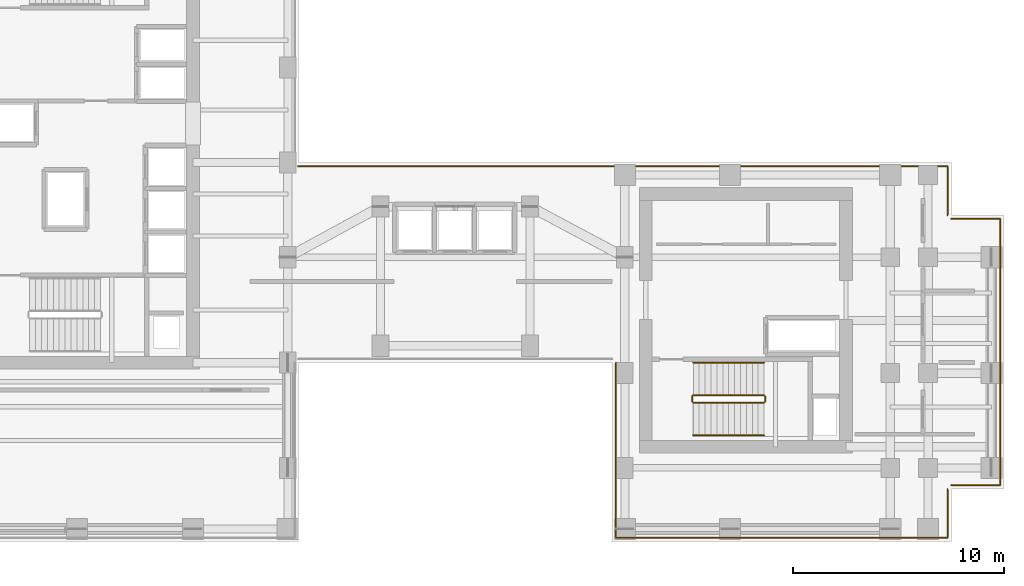
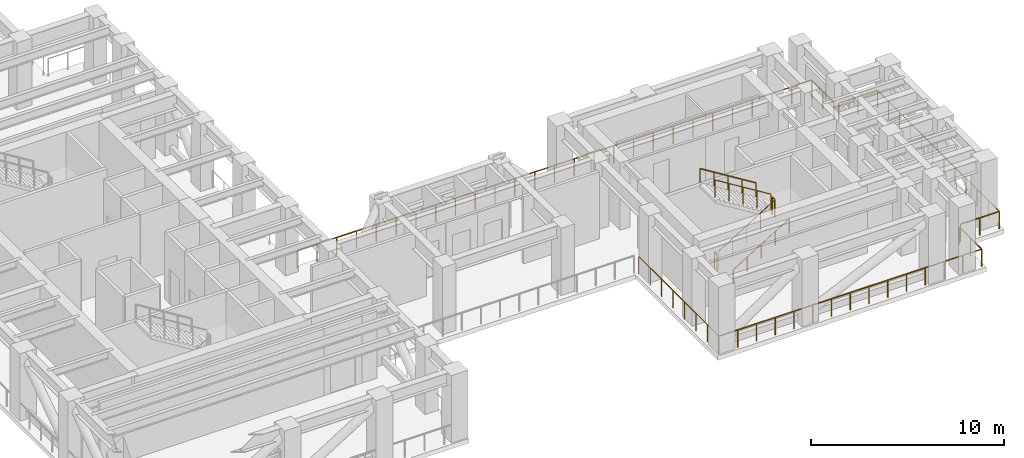
# One storey, part 13 of 14: 14 railings.
"""IFC4 building model written with IfcOpenShell, lengths in metres."""

from ifc_helpers import new_model, si_unit, direction, frame, origin, origin_2d, place, context, subcontext, project, spatial, circle, extrude, source, transform, mapped, material, layer, layer_set, type_object, element, save


model = new_model("IFC4")

# Units and contexts
model_context = context("Model", 3, precision=1e-05, world=origin(), true_north=direction((0.0, 1.0)))
body_context = subcontext(model_context, "Body", "Model", "MODEL_VIEW")
ifc_project = project(units=[si_unit("LENGTHUNIT", "METRE"), si_unit("AREAUNIT", "SQUARE_METRE"), si_unit("VOLUMEUNIT", "CUBIC_METRE"), si_unit("PLANEANGLEUNIT", "RADIAN"), si_unit("MASSUNIT", "GRAM", prefix="KILO")], contexts=[model_context])

# Site, building, storey
site_placement = place(None, origin())
site = spatial("IfcSite", under=ifc_project, at=site_placement, CompositionType="ELEMENT")
building_placement = place(site_placement, origin())
building = spatial("IfcBuilding", under=site, at=building_placement, Name="Kharzan Plaza Tower", CompositionType="ELEMENT")
storey_placement = place(building_placement, frame((0.0, 0.0, 207.89990234375)))
storey = spatial("IfcBuildingStorey", under=building, at=storey_placement, Name="L56", CompositionType="ELEMENT", Elevation=207.89990234375)

# Railings
ifc_material_1 = material(Name="Painted Galvanized Architectural Steel", Category="steel")
ifc_layer_1 = layer(ifc_material_1, 0.074951171875)
ifc_layer_set_1 = layer_set([ifc_layer_1], Name="Painted Galvanized Architectural Steel")
railing_type_1 = type_object("IfcRailingType", Name="RL-GUARD-1120", PredefinedType="BALUSTRADE", material=ifc_layer_set_1)
shared_shape_1 = source(origin(), body_context, "Body", "SweptSolid", [
    extrude(circle(Radius=0.02392578125, at=origin_2d()), frame((0.0224609375, 0.0, 1.10986328125), z_axis=(0.850623216509, 0.0, 0.525775754039), x_axis=(0.0, 1.0, 0.0)), (0.0, 0.0, 1.0), 3.897216796875),
    extrude(circle(Radius=0.02099609375, at=origin_2d()), origin(), (0.0, 0.0, 1.0), 1.072021484375),
    extrude(circle(Radius=0.02099609375, at=origin_2d()), frame((0.840087890625, 0.0, 0.519287109375)), (0.0, 0.0, 1.0), 1.072021484375),
    extrude(circle(Radius=0.02099609375, at=origin_2d()), frame((1.68017578125, 0.0, 1.03857421875)), (0.0, 0.0, 1.0), 1.072021484375),
    extrude(circle(Radius=0.02099609375, at=origin_2d()), frame((2.52001953125, 0.0, 1.5576171875)), (0.0, 0.0, 1.0), 1.072021484375),
    extrude(circle(Radius=0.02099609375, at=origin_2d()), frame((3.360107421875, 0.0, 2.076904296875)), (0.0, 0.0, 1.0), 1.072021484375),
])
railing_1_placement = place(storey_placement, frame((38.25, 6.60009765625, 0.173095703125)))
element("IfcRailing", 1, at=railing_1_placement, inside=storey, type_object=railing_type_1, Name="L56 ST-3 stair guard 1", PredefinedType="BALUSTRADE", context=body_context, shape_type="MappedRepresentation", body=[
    mapped(shared_shape_1, transform((0.0, 0.0, 0.0), x_axis=(1.0, 0.0, 0.0), y_axis=(0.0, 1.0, 0.0), z_axis=(0.0, 0.0, 1.0))),
])
shared_shape_2 = source(origin(), body_context, "Body", "SweptSolid", [
    extrude(circle(Radius=0.02392578125, at=origin_2d()), frame((0.0, 0.0263671875, 1.09619140625), z_axis=(0.0, 1.0, 0.0), x_axis=(-1.0, 0.0, 0.0)), (0.0, 0.0, 1.0), 0.197021484375),
    extrude(circle(Radius=0.02099609375, at=origin_2d()), origin(), (0.0, 0.0, 1.0), 1.072021484375),
    extrude(circle(Radius=0.02099609375, at=origin_2d()), frame((0.0, 0.25, 0.0)), (0.0, 0.0, 1.0), 1.072021484375),
])
for number, where, name in (
    (2, (41.659912109375, 6.64990234375, 2.25), "L56 ST-3 stair guard 2"),
    (3, (38.199951171875, 6.64990234375, 0.0), "L56 ST-3 stair guard 4"),
):
    element("IfcRailing", number, at=place(storey_placement, frame(where)), inside=storey, type_object=railing_type_1, Name=name, PredefinedType="BALUSTRADE", context=body_context, shape_type="MappedRepresentation", body=[
        mapped(shared_shape_2, transform((0.0, 0.0, 0.0), x_axis=(1.0, 0.0, 0.0), y_axis=(0.0, 1.0, 0.0), z_axis=(0.0, 0.0, 1.0))),
    ])
shared_shape_3 = source(origin(), body_context, "Body", "SweptSolid", [
    extrude(circle(Radius=0.02392578125, at=origin_2d()), frame((-0.0224609375, 0.0, 1.10986328125), z_axis=(-0.850623216509, 0.0, 0.525775754039), x_axis=(0.0, -1.0, 0.0)), (0.0, 0.0, 1.0), 3.897216796875),
    extrude(circle(Radius=0.02099609375, at=origin_2d()), origin(), (0.0, 0.0, 1.0), 1.072021484375),
    extrude(circle(Radius=0.02099609375, at=origin_2d()), frame((-0.840087890625, 0.0, 0.519287109375)), (0.0, 0.0, 1.0), 1.072021484375),
    extrude(circle(Radius=0.02099609375, at=origin_2d()), frame((-1.68017578125, 0.0, 1.03857421875)), (0.0, 0.0, 1.0), 1.072021484375),
    extrude(circle(Radius=0.02099609375, at=origin_2d()), frame((-2.52001953125, 0.0, 1.5576171875)), (0.0, 0.0, 1.0), 1.072021484375),
    extrude(circle(Radius=0.02099609375, at=origin_2d()), frame((-3.360107421875, 0.0, 2.076904296875)), (0.0, 0.0, 1.0), 1.072021484375),
])
railing_2_placement = place(storey_placement, frame((41.610107421875, 6.949951171875, 2.423095703125)))
element("IfcRailing", 4, at=railing_2_placement, inside=storey, type_object=railing_type_1, Name="L56 ST-3 stair guard 3", PredefinedType="BALUSTRADE", context=body_context, shape_type="MappedRepresentation", body=[
    mapped(shared_shape_3, transform((0.0, 0.0, 0.0), x_axis=(1.0, 0.0, 0.0), y_axis=(0.0, 1.0, 0.0), z_axis=(0.0, 0.0, 1.0))),
])
ifc_material_2 = material(Name="Brushed Stainless Steel", Category="steel")
ifc_layer_2 = layer(ifc_material_2, 0.050048828125)
ifc_layer_set_2 = layer_set([ifc_layer_2], Name="Brushed Stainless Steel")
railing_type_2 = type_object("IfcRailingType", Name="RL-STAIR-HR920", PredefinedType="HANDRAIL", material=ifc_layer_set_2)
shared_shape_4 = source(origin(), body_context, "Body", "SweptSolid", [
    extrude(circle(Radius=0.02392578125, at=origin_2d()), frame((0.0224609375, 0.0, 0.8896484375), z_axis=(0.850623216509, 0.0, 0.525775754039), x_axis=(0.0, 1.0, 0.0)), (0.0, 0.0, 1.0), 3.897216796875),
    extrude(circle(Radius=0.02099609375, at=origin_2d()), origin(), (0.0, 0.0, 1.0), 0.851806640625),
    extrude(circle(Radius=0.02099609375, at=origin_2d()), frame((0.840087890625, 0.0, 0.519287109375)), (0.0, 0.0, 1.0), 0.851806640625),
    extrude(circle(Radius=0.02099609375, at=origin_2d()), frame((1.68017578125, 0.0, 1.03857421875)), (0.0, 0.0, 1.0), 0.851806640625),
    extrude(circle(Radius=0.02099609375, at=origin_2d()), frame((2.52001953125, 0.0, 1.5576171875)), (0.0, 0.0, 1.0), 0.851806640625),
    extrude(circle(Radius=0.02099609375, at=origin_2d()), frame((3.360107421875, 0.0, 2.076904296875)), (0.0, 0.0, 1.0), 0.851806640625),
])
railing_3_placement = place(storey_placement, frame((38.25, 5.050048828125, 0.173095703125)))
element("IfcRailing", 5, at=railing_3_placement, inside=storey, type_object=railing_type_2, Name="L56 ST-3 stair handrail 1", PredefinedType="HANDRAIL", context=body_context, shape_type="MappedRepresentation", body=[
    mapped(shared_shape_4, transform((0.0, 0.0, 0.0), x_axis=(1.0, 0.0, 0.0), y_axis=(0.0, 1.0, 0.0), z_axis=(0.0, 0.0, 1.0))),
])
shared_shape_5 = source(origin(), body_context, "Body", "SweptSolid", [
    extrude(circle(Radius=0.02392578125, at=origin_2d()), frame((-0.0224609375, 0.0, 0.8896484375), z_axis=(-0.850623216509, 0.0, 0.525775754039), x_axis=(0.0, -1.0, 0.0)), (0.0, 0.0, 1.0), 3.897216796875),
    extrude(circle(Radius=0.02099609375, at=origin_2d()), origin(), (0.0, 0.0, 1.0), 0.851806640625),
    extrude(circle(Radius=0.02099609375, at=origin_2d()), frame((-0.840087890625, 0.0, 0.519287109375)), (0.0, 0.0, 1.0), 0.851806640625),
    extrude(circle(Radius=0.02099609375, at=origin_2d()), frame((-1.68017578125, 0.0, 1.03857421875)), (0.0, 0.0, 1.0), 0.851806640625),
    extrude(circle(Radius=0.02099609375, at=origin_2d()), frame((-2.52001953125, 0.0, 1.5576171875)), (0.0, 0.0, 1.0), 0.851806640625),
    extrude(circle(Radius=0.02099609375, at=origin_2d()), frame((-3.360107421875, 0.0, 2.076904296875)), (0.0, 0.0, 1.0), 0.851806640625),
])
railing_4_placement = place(storey_placement, frame((41.610107421875, 8.5, 2.423095703125)))
element("IfcRailing", 6, at=railing_4_placement, inside=storey, type_object=railing_type_2, Name="L56 ST-3 stair handrail 2", PredefinedType="HANDRAIL", context=body_context, shape_type="MappedRepresentation", body=[
    mapped(shared_shape_5, transform((0.0, 0.0, 0.0), x_axis=(1.0, 0.0, 0.0), y_axis=(0.0, 1.0, 0.0), z_axis=(0.0, 0.0, 1.0))),
])
shared_shape_6 = source(origin(), body_context, "Body", "SweptSolid", [
    extrude(circle(Radius=0.02392578125, at=origin_2d()), frame((0.0, -0.0263671875, 1.09619140625), z_axis=(0.0, -1.0, 0.0), x_axis=(1.0, 0.0, 0.0)), (0.0, 0.0, 1.0), 2.26708984375),
    extrude(circle(Radius=0.02099609375, at=origin_2d()), origin(), (0.0, 0.0, 1.0), 1.072021484375),
    extrude(circle(Radius=0.02099609375, at=origin_2d()), frame((0.0, -1.16015625, 0.0)), (0.0, 0.0, 1.0), 1.072021484375),
    extrude(circle(Radius=0.02099609375, at=origin_2d()), frame((0.0, -2.320068359375, 0.0)), (0.0, 0.0, 1.0), 1.072021484375),
])
for number, where, name in (
    (7, (50.320068359375, 17.820068359375, 0.0), "L56 Open Refuge Floor Perimeter Guard 02"),
    (8, (50.320068359375, 2.5, 0.0), "L56 Open Refuge Floor Perimeter Guard 38"),
):
    element("IfcRailing", number, at=place(storey_placement, frame(where)), inside=storey, type_object=railing_type_1, Name=name, PredefinedType="BALUSTRADE", context=body_context, shape_type="MappedRepresentation", body=[
        mapped(shared_shape_6, transform((0.0, 0.0, 0.0), x_axis=(1.0, 0.0, 0.0), y_axis=(0.0, 1.0, 0.0), z_axis=(0.0, 0.0, 1.0))),
    ])
shared_shape_7 = source(origin(), body_context, "Body", "SweptSolid", [
    extrude(circle(Radius=0.02392578125, at=origin_2d()), frame((0.0263671875, 0.0, 1.09619140625), z_axis=(1.0, 0.0, 0.0), x_axis=(0.0, 1.0, 0.0)), (0.0, 0.0, 1.0), 2.26708984375),
    extrude(circle(Radius=0.02099609375, at=origin_2d()), origin(), (0.0, 0.0, 1.0), 1.072021484375),
    extrude(circle(Radius=0.02099609375, at=origin_2d()), frame((1.16015625, 0.0, 0.0)), (0.0, 0.0, 1.0), 1.072021484375),
    extrude(circle(Radius=0.02099609375, at=origin_2d()), frame((2.320068359375, 0.0, 0.0)), (0.0, 0.0, 1.0), 1.072021484375),
])
railing_5_placement = place(storey_placement, frame((50.5, 15.320068359375, 0.0)))
element("IfcRailing", 9, at=railing_5_placement, inside=storey, type_object=railing_type_1, Name="L56 Open Refuge Floor Perimeter Guard 19", PredefinedType="BALUSTRADE", context=body_context, shape_type="MappedRepresentation", body=[
    mapped(shared_shape_7, transform((0.0, 0.0, 0.0), x_axis=(1.0, 0.0, 0.0), y_axis=(0.0, 1.0, 0.0), z_axis=(0.0, 0.0, 1.0))),
])
shared_shape_8 = source(origin(), body_context, "Body", "SweptSolid", [
    extrude(circle(Radius=0.02392578125, at=origin_2d()), frame((-0.0263671875, 0.0, 1.09619140625), z_axis=(-1.0, 0.0, 0.0), x_axis=(0.0, -1.0, 0.0)), (0.0, 0.0, 1.0), 2.26708984375),
    extrude(circle(Radius=0.02099609375, at=origin_2d()), origin(), (0.0, 0.0, 1.0), 1.072021484375),
    extrude(circle(Radius=0.02099609375, at=origin_2d()), frame((-1.16015625, 0.0, 0.0)), (0.0, 0.0, 1.0), 1.072021484375),
    extrude(circle(Radius=0.02099609375, at=origin_2d()), frame((-2.320068359375, 0.0, 0.0)), (0.0, 0.0, 1.0), 1.072021484375),
])
railing_6_placement = place(storey_placement, frame((52.820068359375, 2.679931640625, 0.0)))
element("IfcRailing", 10, at=railing_6_placement, inside=storey, type_object=railing_type_1, Name="L56 Open Refuge Floor Perimeter Guard 21", PredefinedType="BALUSTRADE", context=body_context, shape_type="MappedRepresentation", body=[
    mapped(shared_shape_8, transform((0.0, 0.0, 0.0), x_axis=(1.0, 0.0, 0.0), y_axis=(0.0, 1.0, 0.0), z_axis=(0.0, 0.0, 1.0))),
])
shared_shape_9 = source(origin(), body_context, "Body", "SweptSolid", [
    extrude(circle(Radius=0.02392578125, at=origin_2d()), frame((0.0, 0.0263671875, 1.09619140625), z_axis=(0.0, 1.0, 0.0), x_axis=(-1.0, 0.0, 0.0)), (0.0, 0.0, 1.0), 8.26708984375),
    extrude(circle(Radius=0.02099609375, at=origin_2d()), origin(), (0.0, 0.0, 1.0), 1.072021484375),
    extrude(circle(Radius=0.02099609375, at=origin_2d()), frame((0.0, 1.1884765625, 0.0)), (0.0, 0.0, 1.0), 1.072021484375),
    extrude(circle(Radius=0.02099609375, at=origin_2d()), frame((0.0, 2.377197265625, 0.0)), (0.0, 0.0, 1.0), 1.072021484375),
    extrude(circle(Radius=0.02099609375, at=origin_2d()), frame((0.0, 3.565673828125, 0.0)), (0.0, 0.0, 1.0), 1.072021484375),
    extrude(circle(Radius=0.02099609375, at=origin_2d()), frame((0.0, 4.75439453125, 0.0)), (0.0, 0.0, 1.0), 1.072021484375),
    extrude(circle(Radius=0.02099609375, at=origin_2d()), frame((0.0, 5.94287109375, 0.0)), (0.0, 0.0, 1.0), 1.072021484375),
    extrude(circle(Radius=0.02099609375, at=origin_2d()), frame((0.0, 7.131591796875, 0.0)), (0.0, 0.0, 1.0), 1.072021484375),
    extrude(circle(Radius=0.02099609375, at=origin_2d()), frame((0.0, 8.320068359375, 0.0)), (0.0, 0.0, 1.0), 1.072021484375),
])
railing_7_placement = place(storey_placement, frame((34.580078125, 0.179931640625, 0.0)))
element("IfcRailing", 11, at=railing_7_placement, inside=storey, type_object=railing_type_1, Name="L56 Open Refuge Floor Perimeter Guard 40", PredefinedType="BALUSTRADE", context=body_context, shape_type="MappedRepresentation", body=[
    mapped(shared_shape_9, transform((0.0, 0.0, 0.0), x_axis=(1.0, 0.0, 0.0), y_axis=(0.0, 1.0, 0.0), z_axis=(0.0, 0.0, 1.0))),
])
shared_shape_10 = source(origin(), body_context, "Body", "SweptSolid", [
    extrude(circle(Radius=0.02392578125, at=origin_2d()), frame((0.0263671875, 0.0, 1.09619140625), z_axis=(1.0, 0.0, 0.0), x_axis=(0.0, 1.0, 0.0)), (0.0, 0.0, 1.0), 30.76708984375),
    extrude(circle(Radius=0.02099609375, at=origin_2d()), origin(), (0.0, 0.0, 1.0), 1.072021484375),
    extrude(circle(Radius=0.02099609375, at=origin_2d()), frame((1.185302734375, 0.0, 0.0)), (0.0, 0.0, 1.0), 1.072021484375),
    extrude(circle(Radius=0.02099609375, at=origin_2d()), frame((2.370849609375, 0.0, 0.0)), (0.0, 0.0, 1.0), 1.072021484375),
    extrude(circle(Radius=0.02099609375, at=origin_2d()), frame((3.55615234375, 0.0, 0.0)), (0.0, 0.0, 1.0), 1.072021484375),
    extrude(circle(Radius=0.02099609375, at=origin_2d()), frame((4.741455078125, 0.0, 0.0)), (0.0, 0.0, 1.0), 1.072021484375),
    extrude(circle(Radius=0.02099609375, at=origin_2d()), frame((5.927001953125, 0.0, 0.0)), (0.0, 0.0, 1.0), 1.072021484375),
    extrude(circle(Radius=0.02099609375, at=origin_2d()), frame((7.1123046875, 0.0, 0.0)), (0.0, 0.0, 1.0), 1.072021484375),
    extrude(circle(Radius=0.02099609375, at=origin_2d()), frame((8.297607421875, 0.0, 0.0)), (0.0, 0.0, 1.0), 1.072021484375),
    extrude(circle(Radius=0.02099609375, at=origin_2d()), frame((9.483154296875, 0.0, 0.0)), (0.0, 0.0, 1.0), 1.072021484375),
    extrude(circle(Radius=0.02099609375, at=origin_2d()), frame((10.66845703125, 0.0, 0.0)), (0.0, 0.0, 1.0), 1.072021484375),
    extrude(circle(Radius=0.02099609375, at=origin_2d()), frame((11.853759765625, 0.0, 0.0)), (0.0, 0.0, 1.0), 1.072021484375),
    extrude(circle(Radius=0.02099609375, at=origin_2d()), frame((13.039306640625, 0.0, 0.0)), (0.0, 0.0, 1.0), 1.072021484375),
    extrude(circle(Radius=0.02099609375, at=origin_2d()), frame((14.224609375, 0.0, 0.0)), (0.0, 0.0, 1.0), 1.072021484375),
    extrude(circle(Radius=0.02099609375, at=origin_2d()), frame((15.41015625, 0.0, 0.0)), (0.0, 0.0, 1.0), 1.072021484375),
    extrude(circle(Radius=0.02099609375, at=origin_2d()), frame((16.595458984375, 0.0, 0.0)), (0.0, 0.0, 1.0), 1.072021484375),
    extrude(circle(Radius=0.02099609375, at=origin_2d()), frame((17.78076171875, 0.0, 0.0)), (0.0, 0.0, 1.0), 1.072021484375),
    extrude(circle(Radius=0.02099609375, at=origin_2d()), frame((18.96630859375, 0.0, 0.0)), (0.0, 0.0, 1.0), 1.072021484375),
    extrude(circle(Radius=0.02099609375, at=origin_2d()), frame((20.151611328125, 0.0, 0.0)), (0.0, 0.0, 1.0), 1.072021484375),
    extrude(circle(Radius=0.02099609375, at=origin_2d()), frame((21.3369140625, 0.0, 0.0)), (0.0, 0.0, 1.0), 1.072021484375),
    extrude(circle(Radius=0.02099609375, at=origin_2d()), frame((22.5224609375, 0.0, 0.0)), (0.0, 0.0, 1.0), 1.072021484375),
    extrude(circle(Radius=0.02099609375, at=origin_2d()), frame((23.707763671875, 0.0, 0.0)), (0.0, 0.0, 1.0), 1.072021484375),
    extrude(circle(Radius=0.02099609375, at=origin_2d()), frame((24.89306640625, 0.0, 0.0)), (0.0, 0.0, 1.0), 1.072021484375),
    extrude(circle(Radius=0.02099609375, at=origin_2d()), frame((26.07861328125, 0.0, 0.0)), (0.0, 0.0, 1.0), 1.072021484375),
    extrude(circle(Radius=0.02099609375, at=origin_2d()), frame((27.263916015625, 0.0, 0.0)), (0.0, 0.0, 1.0), 1.072021484375),
    extrude(circle(Radius=0.02099609375, at=origin_2d()), frame((28.44921875, 0.0, 0.0)), (0.0, 0.0, 1.0), 1.072021484375),
    extrude(circle(Radius=0.02099609375, at=origin_2d()), frame((29.634765625, 0.0, 0.0)), (0.0, 0.0, 1.0), 1.072021484375),
    extrude(circle(Radius=0.02099609375, at=origin_2d()), frame((30.820068359375, 0.0, 0.0)), (0.0, 0.0, 1.0), 1.072021484375),
])
railing_8_placement = place(storey_placement, frame((19.5, 17.820068359375, 0.0)))
element("IfcRailing", 12, at=railing_8_placement, inside=storey, type_object=railing_type_1, Name="L56 Open Refuge Floor Perimeter Guard 01", PredefinedType="BALUSTRADE", context=body_context, shape_type="MappedRepresentation", body=[
    mapped(shared_shape_10, transform((0.0, 0.0, 0.0), x_axis=(1.0, 0.0, 0.0), y_axis=(0.0, 1.0, 0.0), z_axis=(0.0, 0.0, 1.0))),
])
shared_shape_11 = source(origin(), body_context, "Body", "SweptSolid", [
    extrude(circle(Radius=0.02392578125, at=origin_2d()), frame((0.0, -0.0263671875, 1.09619140625), z_axis=(0.0, -1.0, 0.0), x_axis=(1.0, 0.0, 0.0)), (0.0, 0.0, 1.0), 12.587158203125),
    extrude(circle(Radius=0.02099609375, at=origin_2d()), origin(), (0.0, 0.0, 1.0), 1.072021484375),
    extrude(circle(Radius=0.02099609375, at=origin_2d()), frame((0.0, -1.149169921875, 0.0)), (0.0, 0.0, 1.0), 1.072021484375),
    extrude(circle(Radius=0.02099609375, at=origin_2d()), frame((0.0, -2.298095703125, 0.0)), (0.0, 0.0, 1.0), 1.072021484375),
    extrude(circle(Radius=0.02099609375, at=origin_2d()), frame((0.0, -3.447265625, 0.0)), (0.0, 0.0, 1.0), 1.072021484375),
    extrude(circle(Radius=0.02099609375, at=origin_2d()), frame((0.0, -4.596435546875, 0.0)), (0.0, 0.0, 1.0), 1.072021484375),
    extrude(circle(Radius=0.02099609375, at=origin_2d()), frame((0.0, -5.74560546875, 0.0)), (0.0, 0.0, 1.0), 1.072021484375),
    extrude(circle(Radius=0.02099609375, at=origin_2d()), frame((0.0, -6.89453125, 0.0)), (0.0, 0.0, 1.0), 1.072021484375),
    extrude(circle(Radius=0.02099609375, at=origin_2d()), frame((0.0, -8.043701171875, 0.0)), (0.0, 0.0, 1.0), 1.072021484375),
    extrude(circle(Radius=0.02099609375, at=origin_2d()), frame((0.0, -9.19287109375, 0.0)), (0.0, 0.0, 1.0), 1.072021484375),
    extrude(circle(Radius=0.02099609375, at=origin_2d()), frame((0.0, -10.342041015625, 0.0)), (0.0, 0.0, 1.0), 1.072021484375),
    extrude(circle(Radius=0.02099609375, at=origin_2d()), frame((0.0, -11.490966796875, 0.0)), (0.0, 0.0, 1.0), 1.072021484375),
    extrude(circle(Radius=0.02099609375, at=origin_2d()), frame((0.0, -12.64013671875, 0.0)), (0.0, 0.0, 1.0), 1.072021484375),
])
railing_9_placement = place(storey_placement, frame((52.820068359375, 15.320068359375, 0.0)))
element("IfcRailing", 13, at=railing_9_placement, inside=storey, type_object=railing_type_1, Name="L56 Open Refuge Floor Perimeter Guard 20", PredefinedType="BALUSTRADE", context=body_context, shape_type="MappedRepresentation", body=[
    mapped(shared_shape_11, transform((0.0, 0.0, 0.0), x_axis=(1.0, 0.0, 0.0), y_axis=(0.0, 1.0, 0.0), z_axis=(0.0, 0.0, 1.0))),
])
shared_shape_12 = source(origin(), body_context, "Body", "SweptSolid", [
    extrude(circle(Radius=0.02392578125, at=origin_2d()), frame((-0.0263671875, 0.0, 1.09619140625), z_axis=(-1.0, 0.0, 0.0), x_axis=(0.0, -1.0, 0.0)), (0.0, 0.0, 1.0), 15.68701171875),
    extrude(circle(Radius=0.02099609375, at=origin_2d()), origin(), (0.0, 0.0, 1.0), 1.072021484375),
    extrude(circle(Radius=0.02099609375, at=origin_2d()), frame((-1.124267578125, 0.0, 0.0)), (0.0, 0.0, 1.0), 1.072021484375),
    extrude(circle(Radius=0.02099609375, at=origin_2d()), frame((-2.24853515625, 0.0, 0.0)), (0.0, 0.0, 1.0), 1.072021484375),
    extrude(circle(Radius=0.02099609375, at=origin_2d()), frame((-3.372802734375, 0.0, 0.0)), (0.0, 0.0, 1.0), 1.072021484375),
    extrude(circle(Radius=0.02099609375, at=origin_2d()), frame((-4.4970703125, 0.0, 0.0)), (0.0, 0.0, 1.0), 1.072021484375),
    extrude(circle(Radius=0.02099609375, at=origin_2d()), frame((-5.621337890625, 0.0, 0.0)), (0.0, 0.0, 1.0), 1.072021484375),
    extrude(circle(Radius=0.02099609375, at=origin_2d()), frame((-6.74560546875, 0.0, 0.0)), (0.0, 0.0, 1.0), 1.072021484375),
    extrude(circle(Radius=0.02099609375, at=origin_2d()), frame((-7.8701171875, 0.0, 0.0)), (0.0, 0.0, 1.0), 1.072021484375),
    extrude(circle(Radius=0.02099609375, at=origin_2d()), frame((-8.994384765625, 0.0, 0.0)), (0.0, 0.0, 1.0), 1.072021484375),
    extrude(circle(Radius=0.02099609375, at=origin_2d()), frame((-10.11865234375, 0.0, 0.0)), (0.0, 0.0, 1.0), 1.072021484375),
    extrude(circle(Radius=0.02099609375, at=origin_2d()), frame((-11.242919921875, 0.0, 0.0)), (0.0, 0.0, 1.0), 1.072021484375),
    extrude(circle(Radius=0.02099609375, at=origin_2d()), frame((-12.3671875, 0.0, 0.0)), (0.0, 0.0, 1.0), 1.072021484375),
    extrude(circle(Radius=0.02099609375, at=origin_2d()), frame((-13.491455078125, 0.0, 0.0)), (0.0, 0.0, 1.0), 1.072021484375),
    extrude(circle(Radius=0.02099609375, at=origin_2d()), frame((-14.61572265625, 0.0, 0.0)), (0.0, 0.0, 1.0), 1.072021484375),
    extrude(circle(Radius=0.02099609375, at=origin_2d()), frame((-15.739990234375, 0.0, 0.0)), (0.0, 0.0, 1.0), 1.072021484375),
])
railing_10_placement = place(storey_placement, frame((50.320068359375, 0.179931640625, 0.0)))
element("IfcRailing", 14, at=railing_10_placement, inside=storey, type_object=railing_type_1, Name="L56 Open Refuge Floor Perimeter Guard 39", PredefinedType="BALUSTRADE", context=body_context, shape_type="MappedRepresentation", body=[
    mapped(shared_shape_12, transform((0.0, 0.0, 0.0), x_axis=(1.0, 0.0, 0.0), y_axis=(0.0, 1.0, 0.0), z_axis=(0.0, 0.0, 1.0))),
])

save(model, "model.ifc")
